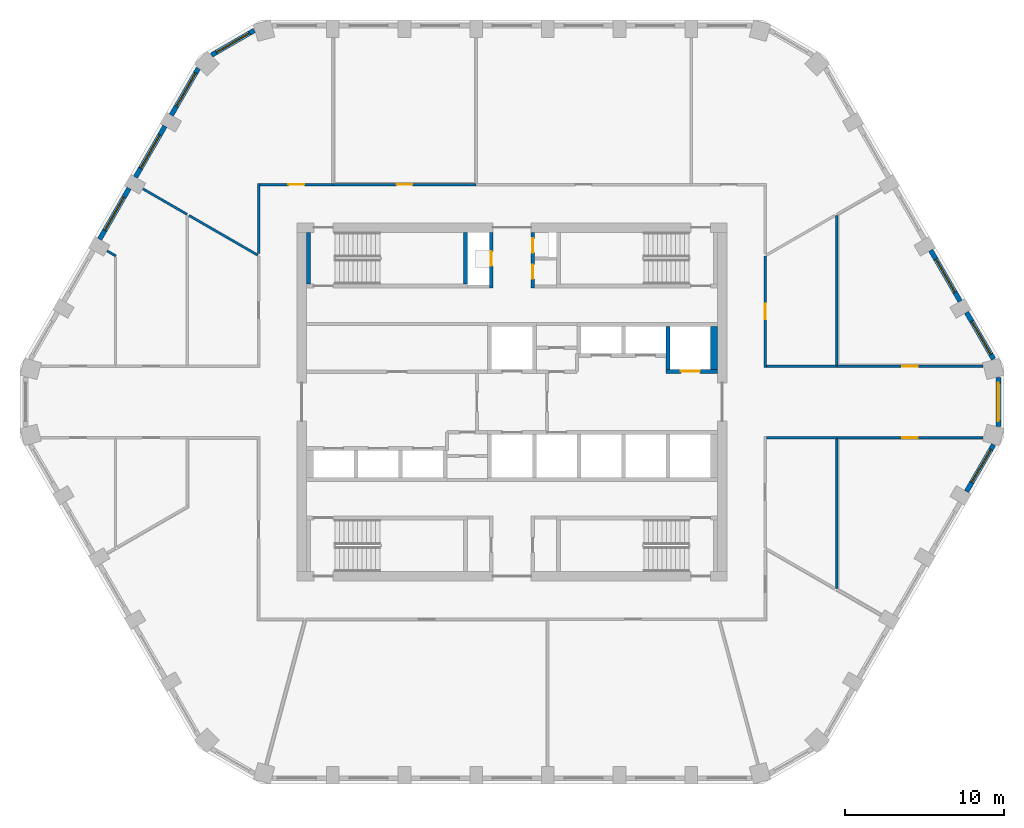
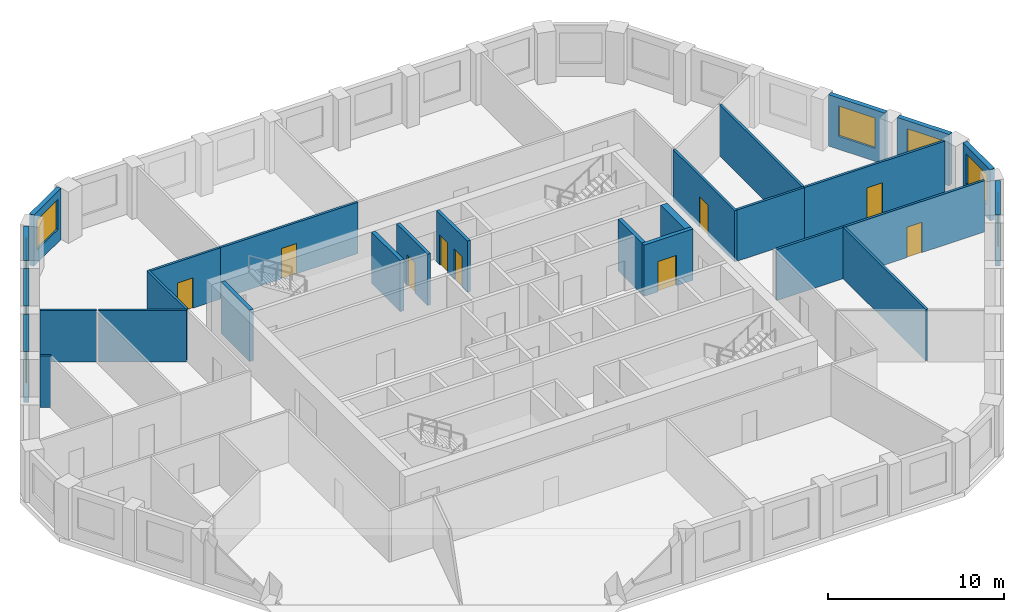
# One storey, part 5 of 11: 28 walls, 9 doors, 8 windows, 17 openings.
"""IFC4 building model written with IfcOpenShell, lengths in metres."""

import ifcopenshell
import ifcopenshell.guid

model = None  # the IFC model being written
_history = None  # IfcOwnerHistory: only IFC2X3 demands one
_inside = {}  # id of a spatial element -> (the spatial element, [elements in it])
_under = {}  # id of a project, library or spatial element -> (it, [spatial elements below it])
_declared = {}  # id of a project -> (the project, [libraries it declares])
_typed = {}  # id of a type object -> (the type object, [elements of that type])
_made_of = {}  # id of a material, layer set ... -> (it, [elements and type objects made of it])


def new_model(schema):
    """Start an empty IFC model of exactly this schema.

    Asked for "IFC4X3", IfcOpenShell would pick the latest addendum, in which some entities
    have other attributes; the version numbers below select the first issue.
    IFC2X3 requires an IfcOwnerHistory on every rooted entity: one is made here for all.
    """
    global model, _history
    if schema == "IFC4X3":
        model = ifcopenshell.file(schema_version=(4, 3, 0, 0))
    else:
        model = ifcopenshell.file(schema=schema)
    _inside.clear()
    _under.clear()
    _declared.clear()
    _typed.clear()
    _made_of.clear()
    _history = None
    if model.schema == "IFC2X3":
        org = make("IfcOrganization", Name="unknown")
        user = make(
            "IfcPersonAndOrganization",
            ThePerson=make("IfcPerson", FamilyName="unknown"),
            TheOrganization=org,
        )
        app = make(
            "IfcApplication",
            ApplicationDeveloper=org,
            Version="unknown",
            ApplicationFullName="unknown",
            ApplicationIdentifier="unknown",
        )
        _history = make(
            "IfcOwnerHistory",
            OwningUser=user,
            OwningApplication=app,
            ChangeAction="ADDED",
            CreationDate=0,
        )
    return model


def make(cls, **values):
    """One entity of the class cls with the attributes given. An attribute that is None is left unset."""
    return model.create_entity(
        cls, **{name: value for name, value in values.items() if value is not None}
    )


def rooted(cls, **values):
    """An entity with a GlobalId (a new one), such as an element, a storey or a relation."""
    return make(cls, GlobalId=ifcopenshell.guid.new(), OwnerHistory=_history, **values)


def si_unit(unit_type, name, prefix=None):
    """IfcSIUnit, for example si_unit("LENGTHUNIT", "METRE", prefix="MILLI")."""
    return make("IfcSIUnit", UnitType=unit_type, Prefix=prefix, Name=name)


def assignment(units):
    """IfcUnitAssignment: the units of a project."""
    return None if units is None else make("IfcUnitAssignment", Units=units)


def point(xyz):
    """IfcCartesianPoint."""
    return None if xyz is None else make("IfcCartesianPoint", Coordinates=xyz)


def direction(xyz):
    """IfcDirection."""
    return None if xyz is None else make("IfcDirection", DirectionRatios=xyz)


def frame(location, z_axis=None, x_axis=None):
    """IfcAxis2Placement3D, a coordinate frame: its origin and axes. An axis left out is left unset."""
    return make(
        "IfcAxis2Placement3D",
        Location=point(location),
        Axis=direction(z_axis),
        RefDirection=direction(x_axis),
    )


def frame_2d(location, x_axis=None):
    """IfcAxis2Placement2D, a coordinate frame in the plane: its origin and x axis."""
    return make(
        "IfcAxis2Placement2D", Location=point(location), RefDirection=direction(x_axis)
    )


def origin():
    """The frame at (0, 0, 0) with its axes left unset."""
    return frame((0.0, 0.0, 0.0))


def place(relative_to, where):
    """IfcLocalPlacement: puts the frame where relative to a parent placement (None: the world)."""
    return make(
        "IfcLocalPlacement", PlacementRelTo=relative_to, RelativePlacement=where
    )


def context(
    kind, dimensions, precision=None, world=None, true_north=None, identifier=None
):
    """IfcGeometricRepresentationContext, for example the 3D "Model" context."""
    return make(
        "IfcGeometricRepresentationContext",
        ContextIdentifier=identifier,
        ContextType=kind,
        CoordinateSpaceDimension=dimensions,
        Precision=precision,
        WorldCoordinateSystem=world,
        TrueNorth=true_north,
    )


def subcontext(parent, identifier, kind, view, scale=None):
    """IfcGeometricRepresentationSubContext, for example "Body" below "Model"."""
    return make(
        "IfcGeometricRepresentationSubContext",
        ContextIdentifier=identifier,
        ContextType=kind,
        ParentContext=parent,
        TargetScale=scale,
        TargetView=view,
    )


def project(units=None, contexts=None):
    """IfcProject with its units and contexts."""
    return rooted(
        "IfcProject",
        Name="project",
        RepresentationContexts=contexts,
        UnitsInContext=assignment(units),
    )


def spatial(cls, under=None, at=None, **own):
    """A site, building, storey or space (cls), placed at a placement, below another one or the project."""
    s = rooted(cls, ObjectPlacement=at, **own)
    if under is not None:
        _under.setdefault(under.id(), (under, []))[1].append(s)
    return s


def polyline(points):
    """IfcPolyline through the points."""
    return make("IfcPolyline", Points=[point(p) for p in points])


def profile(cls, at=None, kind="AREA", **sizes):
    """A parametric profile (cls). Its sizes go by their IFC names, for example OverallWidth=200.0."""
    return make(cls, ProfileType=kind, Position=at, **sizes)


def rectangle(**sizes):
    """IfcRectangleProfileDef."""
    return profile("IfcRectangleProfileDef", **sizes)


def outline(outer, holes=None, kind="AREA"):
    """IfcArbitraryClosedProfileDef: a profile drawn as a closed curve; with holes, ...WithVoids."""
    if holes is None:
        return make("IfcArbitraryClosedProfileDef", ProfileType=kind, OuterCurve=outer)
    return make(
        "IfcArbitraryProfileDefWithVoids",
        ProfileType=kind,
        OuterCurve=outer,
        InnerCurves=holes,
    )


def extrude(swept, where, along, depth):
    """IfcExtrudedAreaSolid: the profile swept, set in the frame where, extruded along a direction by depth."""
    return make(
        "IfcExtrudedAreaSolid",
        SweptArea=swept,
        Position=where,
        ExtrudedDirection=direction(along),
        Depth=depth,
    )


def shape(context_of_items, identifier, shape_type, items):
    """IfcShapeRepresentation: the items that make up one representation, for example the "Body"."""
    return make(
        "IfcShapeRepresentation",
        ContextOfItems=context_of_items,
        RepresentationIdentifier=identifier,
        RepresentationType=shape_type,
        Items=items,
    )


def material(Name=None, Category=None):
    """IfcMaterial."""
    return make("IfcMaterial", Name=Name, Category=Category)


def layer(
    of_material, thickness, ventilated=None, Name=None, Category=None, Priority=None
):
    """IfcMaterialLayer: one layer of a wall or slab, of a material (None: an air gap)."""
    return make(
        "IfcMaterialLayer",
        Material=of_material,
        LayerThickness=thickness,
        IsVentilated=ventilated,
        Name=Name,
        Category=Category,
        Priority=Priority,
    )


def layer_set(layers, Name=None):
    """IfcMaterialLayerSet."""
    return make("IfcMaterialLayerSet", MaterialLayers=layers, LayerSetName=Name)


def made_of(thing, what):
    """Note that an element or type object is made of a material, layer set ...; save() writes the relation."""
    if what is not None:
        _made_of.setdefault(what.id(), (what, []))[1].append(thing)
    return thing


def type_object(cls, material=None, **own):
    """A type object (cls), such as IfcWallType, which elements share."""
    return made_of(rooted(cls, **own), material)


def element(
    cls,
    number,
    at=None,
    inside=None,
    cuts=None,
    type_object=None,
    material=None,
    context=None,
    identifier="Body",
    shape_type=None,
    held_by="IfcProductDefinitionShape",
    body=None,
    shapes=None,
    **own,
):
    """One element of the class cls, such as IfcWall. Its Tag is "e" and its number.

    at: its placement. inside: the storey or other place that contains it. cuts: it is an
    opening in that element (IfcRelVoidsElement). A single representation is given by context,
    identifier, shape_type and body (its items); several are given by shapes. held_by: the class
    of the entity that holds the representations. save() writes the other relations.
    """
    e = rooted(cls, Tag="e%d" % number, ObjectPlacement=at, **own)
    if body is not None:
        shapes = [shape(context, identifier, shape_type, body)]
    if shapes is not None:
        e.Representation = make(held_by, Representations=shapes)
    if inside is not None:
        _inside.setdefault(inside.id(), (inside, []))[1].append(e)
    if cuts is not None:
        rooted(
            "IfcRelVoidsElement", RelatingBuildingElement=cuts, RelatedOpeningElement=e
        )
    if type_object is not None:
        _typed.setdefault(type_object.id(), (type_object, []))[1].append(e)
    return made_of(e, material)


def fill(opening, filler):
    """IfcRelFillsElement: the door or window that sits in an opening."""
    return rooted(
        "IfcRelFillsElement",
        RelatingOpeningElement=opening,
        RelatedBuildingElement=filler,
    )


def aggregate(whole, parts):
    """IfcRelAggregates: a whole, such as a stair, and the parts it consists of."""
    return rooted("IfcRelAggregates", RelatingObject=whole, RelatedObjects=parts)


def save(model, path):
    """Write the relations noted so far, then the file.

    IfcRelAggregates (storeys below a building ...), IfcRelContainedInSpatialStructure (elements
    in a storey), IfcRelDefinesByType, IfcRelAssociatesMaterial and IfcRelDeclares: one each for
    every whole, place, type object, material and project.
    """
    for whole, parts in _under.values():
        aggregate(whole, parts)
    for where, things in _inside.values():
        rooted(
            "IfcRelContainedInSpatialStructure",
            RelatedElements=things,
            RelatingStructure=where,
        )
    for kind, things in _typed.values():
        rooted("IfcRelDefinesByType", RelatedObjects=things, RelatingType=kind)
    for what, things in _made_of.values():
        rooted("IfcRelAssociatesMaterial", RelatedObjects=things, RelatingMaterial=what)
    for by, libraries in _declared.values():
        rooted("IfcRelDeclares", RelatingContext=by, RelatedDefinitions=libraries)
    model.write(path)


model = new_model("IFC4")

# Units and contexts
model_context = context("Model", 3, precision=1e-05, world=origin(), true_north=direction((0.0, 1.0)))
body_context = subcontext(model_context, "Body", "Model", "MODEL_VIEW")
ifc_project = project(units=[si_unit("LENGTHUNIT", "METRE"), si_unit("AREAUNIT", "SQUARE_METRE"), si_unit("VOLUMEUNIT", "CUBIC_METRE"), si_unit("PLANEANGLEUNIT", "RADIAN"), si_unit("MASSUNIT", "GRAM", prefix="KILO")], contexts=[model_context])

# Site, building, storey
site_placement = place(None, origin())
site = spatial("IfcSite", under=ifc_project, at=site_placement, CompositionType="ELEMENT")
building_placement = place(site_placement, origin())
building = spatial("IfcBuilding", under=site, at=building_placement, Name="Dhurran Vertical Campus", CompositionType="ELEMENT")
storey_placement = place(building_placement, frame((0.0, 0.0, 215.10009765625)))
storey = spatial("IfcBuildingStorey", under=building, at=storey_placement, Name="L53", CompositionType="ELEMENT", Elevation=215.10009765625)

# Wall, opening, window
ifc_material_1 = material(Name="Precast concrete C50/60", Category="concrete")
ifc_layer_1 = layer(ifc_material_1, 0.300048828125)
ifc_layer_set_1 = layer_set([ifc_layer_1], Name="Precast concrete C50/60")
wall_type_1 = type_object("IfcWallType", Name="Precast spandrel wall 300", PredefinedType="SOLIDWALL", material=ifc_layer_set_1)
wall_1_placement = place(storey_placement, frame((28.544189453125, -5.625244140625, 0.0), z_axis=(0.0, 0.0, 1.0), x_axis=(0.500012868213, 0.866017974191, 0.0)))
wall_1 = element("IfcWall", 1, at=wall_1_placement, inside=storey, type_object=wall_type_1, Name="EW1 L53.12", PredefinedType="SOLIDWALL", context=body_context, shape_type="SweptSolid", body=[
    extrude(rectangle(XDim=3.39599609375, YDim=0.300048828125, at=frame_2d((1.697998046875, 0.0))), origin(), (0.0, 0.0, 1.0), 3.5498046875),
])
opening_1_placement = place(wall_1_placement, frame((0.6494140625, 0.0, 0.89990234375)))
opening_1 = element("IfcOpeningElement", 2, at=opening_1_placement, cuts=wall_1, Name="Opening WT1", PredefinedType="OPENING", context=body_context, shape_type="SweptSolid", body=[
    extrude(rectangle(XDim=2.39990234375, YDim=2.10009765625, at=frame_2d((1.199951171875, 1.050048828125))), frame((0.0, 0.159912109375, 0.0), z_axis=(0.0, -1.0, 0.0), x_axis=(1.0, 0.0, 0.0)), (0.0, 0.0, 1.0), 0.320068359375),
])
ifc_material_2 = material(Name="Aluminium frame with solar-control glass", Category="aluminium")
window_type = type_object("IfcWindowType", Name="Punched window 2400 x 2100", PartitioningType="SINGLE_PANEL", PredefinedType="WINDOW", material=ifc_material_2)
window_1_placement = place(opening_1_placement, origin())
window_1 = element("IfcWindow", 3, at=window_1_placement, inside=storey, type_object=window_type, Name="WT1 L53.12", OverallHeight=2.10009765625, OverallWidth=2.39990234375, PartitioningType="SINGLE_PANEL", PredefinedType="WINDOW", context=body_context, shape_type="SweptSolid", body=[
    extrude(rectangle(XDim=2.39990234375, YDim=2.10009765625, at=frame_2d((1.199951171875, 1.050048828125))), frame((0.0, 0.030029296875, 0.0), z_axis=(0.0, -1.0, 0.0), x_axis=(1.0, 0.0, 0.0)), (0.0, 0.0, 1.0), 0.06005859375),
])
fill(opening_1, window_1)

wall_2_placement = place(storey_placement, frame((30.547119140625, -1.54638671875, 0.0), z_axis=(0.0, 0.0, 1.0), x_axis=(0.0, 1.0, 0.0)))
wall_2 = element("IfcWall", 4, at=wall_2_placement, inside=storey, type_object=wall_type_1, Name="EW1 L53.13", PredefinedType="SOLIDWALL", context=body_context, shape_type="SweptSolid", body=[
    extrude(rectangle(XDim=3.0927734375, YDim=0.300048828125, at=frame_2d((1.54638671875, 0.0))), origin(), (0.0, 0.0, 1.0), 3.5498046875),
])
opening_2_placement = place(wall_2_placement, frame((0.34619140625, 0.0, 0.89990234375)))
opening_2 = element("IfcOpeningElement", 5, at=opening_2_placement, cuts=wall_2, Name="Opening WT1", PredefinedType="OPENING", context=body_context, shape_type="SweptSolid", body=[
    extrude(rectangle(XDim=2.39990234375, YDim=2.10009765625, at=frame_2d((1.199951171875, 1.050048828125))), frame((0.0, 0.159912109375, 0.0), z_axis=(0.0, -1.0, 0.0), x_axis=(1.0, 0.0, 0.0)), (0.0, 0.0, 1.0), 0.320068359375),
])
window_2_placement = place(opening_2_placement, origin())
window_2 = element("IfcWindow", 6, at=window_2_placement, inside=storey, type_object=window_type, Name="WT1 L53.13", OverallHeight=2.10009765625, OverallWidth=2.39990234375, PartitioningType="SINGLE_PANEL", PredefinedType="WINDOW", context=body_context, shape_type="SweptSolid", body=[
    extrude(rectangle(XDim=2.39990234375, YDim=2.10009765625, at=frame_2d((1.199951171875, 1.050048828125))), frame((0.0, 0.030029296875, 0.0), z_axis=(0.0, -1.0, 0.0), x_axis=(1.0, 0.0, 0.0)), (0.0, 0.0, 1.0), 0.06005859375),
])
fill(opening_2, window_2)

wall_3_placement = place(storey_placement, frame((30.2421875, 2.684326171875, 0.0), z_axis=(0.0, 0.0, 1.0), x_axis=(-0.500012868213, 0.866017974191, 0.0)))
wall_3 = element("IfcWall", 7, at=wall_3_placement, inside=storey, type_object=wall_type_1, Name="EW1 L53.14", PredefinedType="SOLIDWALL", context=body_context, shape_type="SweptSolid", body=[
    extrude(rectangle(XDim=3.39599609375, YDim=0.300048828125, at=frame_2d((1.697998046875, 0.0))), origin(), (0.0, 0.0, 1.0), 3.5498046875),
])
opening_3_placement = place(wall_3_placement, frame((0.346435546875, 0.0, 0.89990234375)))
opening_3 = element("IfcOpeningElement", 8, at=opening_3_placement, cuts=wall_3, Name="Opening WT1", PredefinedType="OPENING", context=body_context, shape_type="SweptSolid", body=[
    extrude(rectangle(XDim=2.39990234375, YDim=2.10009765625, at=frame_2d((1.199951171875, 1.050048828125))), frame((0.0, 0.159912109375, 0.0), z_axis=(0.0, -1.0, 0.0), x_axis=(1.0, 0.0, 0.0)), (0.0, 0.0, 1.0), 0.320068359375),
])
window_3_placement = place(opening_3_placement, origin())
window_3 = element("IfcWindow", 9, at=window_3_placement, inside=storey, type_object=window_type, Name="WT1 L53.14", OverallHeight=2.10009765625, OverallWidth=2.39990234375, PartitioningType="SINGLE_PANEL", PredefinedType="WINDOW", context=body_context, shape_type="SweptSolid", body=[
    extrude(rectangle(XDim=2.39990234375, YDim=2.10009765625, at=frame_2d((1.199951171875, 1.050048828125))), frame((0.0, 0.030029296875, 0.0), z_axis=(0.0, -1.0, 0.0), x_axis=(1.0, 0.0, 0.0)), (0.0, 0.0, 1.0), 0.06005859375),
])
fill(opening_3, window_3)

wall_4_placement = place(storey_placement, frame((28.143798828125, 6.319091796875, 0.0), z_axis=(0.0, 0.0, 1.0), x_axis=(-0.500029062817, 0.866008623709, 0.0)))
wall_4 = element("IfcWall", 10, at=wall_4_placement, inside=storey, type_object=wall_type_1, Name="EW1 L53.15", PredefinedType="SOLIDWALL", context=body_context, shape_type="SweptSolid", body=[
    extrude(rectangle(XDim=3.698974609375, YDim=0.300048828125, at=frame_2d((1.849609375, 0.0))), origin(), (0.0, 0.0, 1.0), 3.5498046875),
])
opening_4_placement = place(wall_4_placement, frame((0.6494140625, 0.0, 0.89990234375)))
opening_4 = element("IfcOpeningElement", 11, at=opening_4_placement, cuts=wall_4, Name="Opening WT1", PredefinedType="OPENING", context=body_context, shape_type="SweptSolid", body=[
    extrude(rectangle(XDim=2.39990234375, YDim=2.10009765625, at=frame_2d((1.199951171875, 1.050048828125))), frame((0.0, 0.159912109375, 0.0), z_axis=(0.0, -1.0, 0.0), x_axis=(1.0, 0.0, 0.0)), (0.0, 0.0, 1.0), 0.320068359375),
])
window_4_placement = place(opening_4_placement, origin())
window_4 = element("IfcWindow", 12, at=window_4_placement, inside=storey, type_object=window_type, Name="WT1 L53.15", OverallHeight=2.10009765625, OverallWidth=2.39990234375, PartitioningType="SINGLE_PANEL", PredefinedType="WINDOW", context=body_context, shape_type="SweptSolid", body=[
    extrude(rectangle(XDim=2.39990234375, YDim=2.10009765625, at=frame_2d((1.199951171875, 1.050048828125))), frame((0.0, 0.030029296875, 0.0), z_axis=(0.0, -1.0, 0.0), x_axis=(1.0, 0.0, 0.0)), (0.0, 0.0, 1.0), 0.06005859375),
])
fill(opening_4, window_4)

wall_5_placement = place(storey_placement, frame((-16.184326171875, 23.330810546875, 0.0), z_axis=(0.0, 0.0, 1.0), x_axis=(-0.865994975416, -0.500052699777, 0.0)))
wall_5 = element("IfcWall", 13, at=wall_5_placement, inside=storey, type_object=wall_type_1, Name="EW1 L53.27", PredefinedType="SOLIDWALL", context=body_context, shape_type="SweptSolid", body=[
    extrude(rectangle(XDim=3.093017578125, YDim=0.300048828125, at=frame_2d((1.54638671875, 0.0))), origin(), (0.0, 0.0, 1.0), 3.5498046875),
])
opening_5_placement = place(wall_5_placement, frame((0.346435546875, 0.0, 0.89990234375)))
opening_5 = element("IfcOpeningElement", 14, at=opening_5_placement, cuts=wall_5, Name="Opening WT1", PredefinedType="OPENING", context=body_context, shape_type="SweptSolid", body=[
    extrude(rectangle(XDim=2.39990234375, YDim=2.10009765625, at=frame_2d((1.199951171875, 1.050048828125))), frame((0.0, 0.159912109375, 0.0), z_axis=(0.0, -1.0, 0.0), x_axis=(1.0, 0.0, 0.0)), (0.0, 0.0, 1.0), 0.320068359375),
])
window_5_placement = place(opening_5_placement, origin())
window_5 = element("IfcWindow", 15, at=window_5_placement, inside=storey, type_object=window_type, Name="WT1 L53.27", OverallHeight=2.10009765625, OverallWidth=2.39990234375, PartitioningType="SINGLE_PANEL", PredefinedType="WINDOW", context=body_context, shape_type="SweptSolid", body=[
    extrude(rectangle(XDim=2.39990234375, YDim=2.10009765625, at=frame_2d((1.199951171875, 1.050048828125))), frame((0.0, 0.030029296875, 0.0), z_axis=(0.0, -1.0, 0.0), x_axis=(1.0, 0.0, 0.0)), (0.0, 0.0, 1.0), 0.06005859375),
])
fill(opening_5, window_5)

wall_6_placement = place(storey_placement, frame((-19.69580078125, 20.951171875, 0.0), z_axis=(0.0, 0.0, 1.0), x_axis=(-0.500012868213, -0.866017974191, 0.0)))
wall_6 = element("IfcWall", 16, at=wall_6_placement, inside=storey, type_object=wall_type_1, Name="EW1 L53.28", PredefinedType="SOLIDWALL", context=body_context, shape_type="SweptSolid", body=[
    extrude(rectangle(XDim=3.39599609375, YDim=0.300048828125, at=frame_2d((1.697998046875, 0.0))), origin(), (0.0, 0.0, 1.0), 3.5498046875),
])
opening_6_placement = place(wall_6_placement, frame((0.346435546875, 0.0, 0.89990234375)))
opening_6 = element("IfcOpeningElement", 17, at=opening_6_placement, cuts=wall_6, Name="Opening WT1", PredefinedType="OPENING", context=body_context, shape_type="SweptSolid", body=[
    extrude(rectangle(XDim=2.39990234375, YDim=2.10009765625, at=frame_2d((1.199951171875, 1.050048828125))), frame((0.0, 0.159912109375, 0.0), z_axis=(0.0, -1.0, 0.0), x_axis=(1.0, 0.0, 0.0)), (0.0, 0.0, 1.0), 0.320068359375),
])
window_6_placement = place(opening_6_placement, origin())
window_6 = element("IfcWindow", 18, at=window_6_placement, inside=storey, type_object=window_type, Name="WT1 L53.28", OverallHeight=2.10009765625, OverallWidth=2.39990234375, PartitioningType="SINGLE_PANEL", PredefinedType="WINDOW", context=body_context, shape_type="SweptSolid", body=[
    extrude(rectangle(XDim=2.39990234375, YDim=2.10009765625, at=frame_2d((1.199951171875, 1.050048828125))), frame((0.0, 0.030029296875, 0.0), z_axis=(0.0, -1.0, 0.0), x_axis=(1.0, 0.0, 0.0)), (0.0, 0.0, 1.0), 0.06005859375),
])
fill(opening_6, window_6)

wall_7_placement = place(storey_placement, frame((-21.794189453125, 17.316650390625, 0.0), z_axis=(0.0, 0.0, 1.0), x_axis=(-0.500029062817, -0.866008623709, 0.0)))
wall_7 = element("IfcWall", 19, at=wall_7_placement, inside=storey, type_object=wall_type_1, Name="EW1 L53.29", PredefinedType="SOLIDWALL", context=body_context, shape_type="SweptSolid", body=[
    extrude(rectangle(XDim=3.698974609375, YDim=0.300048828125, at=frame_2d((1.849609375, 0.0))), origin(), (0.0, 0.0, 1.0), 3.5498046875),
])
opening_7_placement = place(wall_7_placement, frame((0.6494140625, 0.0, 0.89990234375)))
opening_7 = element("IfcOpeningElement", 20, at=opening_7_placement, cuts=wall_7, Name="Opening WT1", PredefinedType="OPENING", context=body_context, shape_type="SweptSolid", body=[
    extrude(rectangle(XDim=2.39990234375, YDim=2.10009765625, at=frame_2d((1.199951171875, 1.050048828125))), frame((0.0, 0.159912109375, 0.0), z_axis=(0.0, -1.0, 0.0), x_axis=(1.0, 0.0, 0.0)), (0.0, 0.0, 1.0), 0.320068359375),
])
window_7_placement = place(opening_7_placement, origin())
window_7 = element("IfcWindow", 21, at=window_7_placement, inside=storey, type_object=window_type, Name="WT1 L53.29", OverallHeight=2.10009765625, OverallWidth=2.39990234375, PartitioningType="SINGLE_PANEL", PredefinedType="WINDOW", context=body_context, shape_type="SweptSolid", body=[
    extrude(rectangle(XDim=2.39990234375, YDim=2.10009765625, at=frame_2d((1.199951171875, 1.050048828125))), frame((0.0, 0.030029296875, 0.0), z_axis=(0.0, -1.0, 0.0), x_axis=(1.0, 0.0, 0.0)), (0.0, 0.0, 1.0), 0.06005859375),
])
fill(opening_7, window_7)

wall_8_placement = place(storey_placement, frame((-24.044189453125, 13.41943359375, 0.0), z_axis=(0.0, 0.0, 1.0), x_axis=(-0.500029062817, -0.866008623709, 0.0)))
wall_8 = element("IfcWall", 22, at=wall_8_placement, inside=storey, type_object=wall_type_1, Name="EW1 L53.30", PredefinedType="SOLIDWALL", context=body_context, shape_type="SweptSolid", body=[
    extrude(rectangle(XDim=3.698974609375, YDim=0.300048828125, at=frame_2d((1.849609375, 0.0))), origin(), (0.0, 0.0, 1.0), 3.5498046875),
])
opening_8_placement = place(wall_8_placement, frame((0.6494140625, 0.0, 0.89990234375)))
opening_8 = element("IfcOpeningElement", 23, at=opening_8_placement, cuts=wall_8, Name="Opening WT1", PredefinedType="OPENING", context=body_context, shape_type="SweptSolid", body=[
    extrude(rectangle(XDim=2.39990234375, YDim=2.10009765625, at=frame_2d((1.199951171875, 1.050048828125))), frame((0.0, 0.159912109375, 0.0), z_axis=(0.0, -1.0, 0.0), x_axis=(1.0, 0.0, 0.0)), (0.0, 0.0, 1.0), 0.320068359375),
])
window_8_placement = place(opening_8_placement, origin())
window_8 = element("IfcWindow", 24, at=window_8_placement, inside=storey, type_object=window_type, Name="WT1 L53.30", OverallHeight=2.10009765625, OverallWidth=2.39990234375, PartitioningType="SINGLE_PANEL", PredefinedType="WINDOW", context=body_context, shape_type="SweptSolid", body=[
    extrude(rectangle(XDim=2.39990234375, YDim=2.10009765625, at=frame_2d((1.199951171875, 1.050048828125))), frame((0.0, 0.030029296875, 0.0), z_axis=(0.0, -1.0, 0.0), x_axis=(1.0, 0.0, 0.0)), (0.0, 0.0, 1.0), 0.06005859375),
])
fill(opening_8, window_8)

# Wall, opening, door
ifc_material_3 = material(Name="Fire-rated masonry blockwork", Category="masonry")
ifc_layer_2 = layer(ifc_material_3, 0.199951171875)
ifc_layer_set_2 = layer_set([ifc_layer_2], Name="Fire-rated masonry blockwork")
wall_type_2 = type_object("IfcWallType", Name="co-FIRE-PARTITION-200", PredefinedType="PARTITIONING", material=ifc_layer_set_2)
wall_9_placement = place(storey_placement, frame((-1.300048828125, 7.14990234375, 0.0), z_axis=(0.0, 0.0, 1.0), x_axis=(0.0, 1.0, 0.0)))
wall_9 = element("IfcWall", 25, at=wall_9_placement, inside=storey, type_object=wall_type_2, Name="Core partition vest-NW L53", PredefinedType="PARTITIONING", context=body_context, shape_type="SweptSolid", body=[
    extrude(rectangle(XDim=3.5, YDim=0.199951171875, at=frame_2d((1.75, 0.0))), origin(), (0.0, 0.0, 1.0), 3.5498046875),
])
opening_9_placement = place(wall_9_placement, frame((1.39990234375, 0.0, 0.0)))
opening_9 = element("IfcOpeningElement", 26, at=opening_9_placement, cuts=wall_9, Name="Opening T15-C3", PredefinedType="OPENING", context=body_context, shape_type="SweptSolid", body=[
    extrude(rectangle(XDim=0.89990234375, YDim=2.10009765625, at=frame_2d((0.449951171875, 1.050048828125))), frame((0.0, 0.10986328125, 0.0), z_axis=(0.0, -1.0, 0.0), x_axis=(1.0, 0.0, 0.0)), (0.0, 0.0, 1.0), 0.219970703125),
])
ifc_material_4 = material(Name="Fire-rated timber door set", Category="wood")
door_type_1 = type_object("IfcDoorType", Name="co-D-ROOM 900x2100", OperationType="SINGLE_SWING_LEFT", PredefinedType="DOOR", material=ifc_material_4)
door_1_placement = place(opening_9_placement, origin())
door_1 = element("IfcDoor", 27, at=door_1_placement, inside=storey, type_object=door_type_1, Name="Electrical riser door L53", OperationType="SINGLE_SWING_LEFT", OverallHeight=2.10009765625, OverallWidth=0.89990234375, PredefinedType="DOOR", context=body_context, shape_type="SweptSolid", body=[
    extrude(rectangle(XDim=0.89990234375, YDim=2.10009765625, at=frame_2d((0.449951171875, 1.050048828125))), frame((0.0, 0.02490234375, 0.0), z_axis=(0.0, -1.0, 0.0), x_axis=(1.0, 0.0, 0.0)), (0.0, 0.0, 1.0), 0.050048828125),
])
fill(opening_9, door_1)

# Wall, openings, doors
wall_10_placement = place(storey_placement, frame((1.300048828125, 7.14990234375, 0.0), z_axis=(0.0, 0.0, 1.0), x_axis=(0.0, 1.0, 0.0)))
wall_10 = element("IfcWall", 28, at=wall_10_placement, inside=storey, type_object=wall_type_2, Name="Core partition vest-NE L53", PredefinedType="PARTITIONING", context=body_context, shape_type="SweptSolid", body=[
    extrude(rectangle(XDim=3.5, YDim=0.199951171875, at=frame_2d((1.75, 0.0))), origin(), (0.0, 0.0, 1.0), 3.5498046875),
])
opening_10_placement = place(wall_10_placement, frame((0.574951171875, 0.0, 0.0)))
opening_10 = element("IfcOpeningElement", 29, at=opening_10_placement, cuts=wall_10, Name="Opening T15-C4", PredefinedType="OPENING", context=body_context, shape_type="SweptSolid", body=[
    extrude(rectangle(XDim=0.89990234375, YDim=2.10009765625, at=frame_2d((0.449951171875, 1.050048828125))), frame((0.0, 0.10986328125, 0.0), z_axis=(0.0, -1.0, 0.0), x_axis=(1.0, 0.0, 0.0)), (0.0, 0.0, 1.0), 0.219970703125),
])
opening_11_placement = place(wall_10_placement, frame((2.22509765625, 0.0, 0.0)))
opening_11 = element("IfcOpeningElement", 30, at=opening_11_placement, cuts=wall_10, Name="Opening T15-C5", PredefinedType="OPENING", context=body_context, shape_type="SweptSolid", body=[
    extrude(rectangle(XDim=0.89990234375, YDim=2.10009765625, at=frame_2d((0.449951171875, 1.050048828125))), frame((0.0, 0.10986328125, 0.0), z_axis=(0.0, -1.0, 0.0), x_axis=(1.0, 0.0, 0.0)), (0.0, 0.0, 1.0), 0.219970703125),
])
door_2_placement = place(opening_10_placement, origin())
door_2 = element("IfcDoor", 31, at=door_2_placement, inside=storey, type_object=door_type_1, Name="Pantry door L53", OperationType="SINGLE_SWING_LEFT", OverallHeight=2.10009765625, OverallWidth=0.89990234375, PredefinedType="DOOR", context=body_context, shape_type="SweptSolid", body=[
    extrude(rectangle(XDim=0.89990234375, YDim=2.10009765625, at=frame_2d((0.449951171875, 1.050048828125))), frame((0.0, 0.02490234375, 0.0), z_axis=(0.0, -1.0, 0.0), x_axis=(1.0, 0.0, 0.0)), (0.0, 0.0, 1.0), 0.050048828125),
])
fill(opening_10, door_2)
door_3_placement = place(opening_11_placement, origin())
door_3 = element("IfcDoor", 32, at=door_3_placement, inside=storey, type_object=door_type_1, Name="Water riser door L53", OperationType="SINGLE_SWING_LEFT", OverallHeight=2.10009765625, OverallWidth=0.89990234375, PredefinedType="DOOR", context=body_context, shape_type="SweptSolid", body=[
    extrude(rectangle(XDim=0.89990234375, YDim=2.10009765625, at=frame_2d((0.449951171875, 1.050048828125))), frame((0.0, 0.02490234375, 0.0), z_axis=(0.0, -1.0, 0.0), x_axis=(1.0, 0.0, 0.0)), (0.0, 0.0, 1.0), 0.050048828125),
])
fill(opening_11, door_3)

# Wall, opening, door
ifc_material_5 = material(Name="Concrete C50/60", Category="concrete")
ifc_layer_3 = layer(ifc_material_5, 0.25)
ifc_layer_set_3 = layer_set([ifc_layer_3], Name="Concrete C50/60")
wall_type_3 = type_object("IfcWallType", Name="co-SHAFT-FRONT-250", PredefinedType="SHEAR", material=ifc_layer_set_3)
wall_11_placement = place(storey_placement, frame((9.675048828125, 1.925048828125, 0.0), z_axis=(0.0, 0.0, 1.0), x_axis=(1.0, 0.0, 0.0)))
wall_11 = element("IfcWall", 33, at=wall_11_placement, inside=storey, type_object=wall_type_3, Name="Lift landing wall N L53", PredefinedType="SHEAR", context=body_context, shape_type="SweptSolid", body=[
    extrude(rectangle(XDim=3.224853515625, YDim=0.25, at=frame_2d((1.6123046875, 0.0))), origin(), (0.0, 0.0, 1.0), 3.5498046875),
])
opening_12_placement = place(wall_11_placement, frame((0.925048828125, 0.0, 0.0)))
opening_12 = element("IfcOpeningElement", 34, at=opening_12_placement, cuts=wall_11, Name="Opening LD", PredefinedType="OPENING", context=body_context, shape_type="SweptSolid", body=[
    extrude(rectangle(XDim=1.199951171875, YDim=2.10009765625, at=frame_2d((0.60009765625, 1.050048828125))), frame((0.0, 0.135009765625, 0.0), z_axis=(0.0, -1.0, 0.0), x_axis=(1.0, 0.0, 0.0)), (0.0, 0.0, 1.0), 0.27001953125),
])
ifc_material_6 = material(Name="Stainless steel landing door", Category="steel")
door_type_2 = type_object("IfcDoorType", Name="co-D-LANDING 1200x2100", OperationType="DOUBLE_DOOR_SLIDING", PredefinedType="DOOR", material=ifc_material_6)
door_4_placement = place(opening_12_placement, origin())
door_4 = element("IfcDoor", 35, at=door_4_placement, inside=storey, type_object=door_type_2, Name="Landing door SV2 L53", OperationType="DOUBLE_DOOR_SLIDING", OverallHeight=2.10009765625, OverallWidth=1.199951171875, PredefinedType="DOOR", context=body_context, shape_type="SweptSolid", body=[
    extrude(rectangle(XDim=1.199951171875, YDim=2.10009765625, at=frame_2d((0.60009765625, 1.050048828125))), frame((0.0, 0.02490234375, 0.0), z_axis=(0.0, -1.0, 0.0), x_axis=(1.0, 0.0, 0.0)), (0.0, 0.0, 1.0), 0.050048828125),
])
fill(opening_12, door_4)

# Walls
ifc_material_7 = material(Name="Concrete C50/60", Category="concrete")
ifc_layer_4 = layer(ifc_material_7, 0.25)
ifc_layer_set_4 = layer_set([ifc_layer_4], Name="Concrete C50/60")
wall_type_4 = type_object("IfcWallType", Name="co-SHAFT-MASS-250", PredefinedType="SHEAR", material=ifc_layer_set_4)
wall_12_placement = place(storey_placement, origin())
element("IfcWall", 36, at=wall_12_placement, inside=storey, type_object=wall_type_4, Name="Lift shaft wall N L53 5", PredefinedType="SHEAR", context=body_context, shape_type="SweptSolid", body=[
    extrude(outline(polyline([(9.675048828125, 2.050048828125), (9.925048828125, 2.050048828125), (9.925048828125, 4.75), (9.675048828125, 4.75), (9.675048828125, 2.050048828125)])), origin(), (0.0, 0.0, 1.0), 3.5498046875),
])
wall_13_placement = place(storey_placement, origin())
element("IfcWall", 37, at=wall_13_placement, inside=storey, type_object=wall_type_4, Name="Lift shaft wall N L53 6", PredefinedType="SHEAR", context=body_context, shape_type="SweptSolid", body=[
    extrude(outline(polyline([(12.47509765625, 2.050048828125), (12.89990234375, 2.050048828125), (12.89990234375, 4.75), (12.47509765625, 4.75), (12.47509765625, 2.050048828125)])), origin(), (0.0, 0.0, 1.0), 3.5498046875),
])
ifc_material_8 = material(Name="Concrete C40/50", Category="concrete")
ifc_layer_5 = layer(ifc_material_8, 0.25)
ifc_layer_set_5 = layer_set([ifc_layer_5], Name="Concrete C40/50")
wall_type_5 = type_object("IfcWallType", Name="co-STAIR-WALL-250", PredefinedType="SHEAR", material=ifc_layer_set_5)
for number, where, z_axis, x_axis, name in (
    (38, (-12.77490234375, 7.39990234375, 0.0), (0.0, 0.0, 1.0), (0.0, 1.0, 0.0), "Stair ST1 enclosure wall L53"),
    (39, (-2.925048828125, 7.39990234375, 0.0), (0.0, 0.0, 1.0), (0.0, 1.0, 0.0), "Stair ST1 enclosure wall L53"),
):
    element("IfcWall", number, at=place(storey_placement, frame(where, z_axis=z_axis, x_axis=x_axis)), inside=storey, type_object=wall_type_5, Name=name, PredefinedType="SHEAR", context=body_context, shape_type="SweptSolid", body=[
        extrude(rectangle(XDim=3.25, YDim=0.25, at=frame_2d((1.625, 0.0))), origin(), (0.0, 0.0, 1.0), 3.5498046875),
    ])
ifc_material_9 = material(Name="Gypsum board corridor wall on steel studs", Category="steel")
ifc_layer_6 = layer(ifc_material_9, 0.14990234375)
ifc_layer_set_6 = layer_set([ifc_layer_6], Name="Gypsum board corridor wall on steel studs")
wall_type_6 = type_object("IfcWallType", Name="fl-CW-150 corridor wall", PredefinedType="PARTITIONING", material=ifc_layer_set_6)
wall_14_placement = place(storey_placement, frame((-15.89990234375, 13.72509765625, 0.0), z_axis=(0.0, 0.0, 1.0), x_axis=(0.0, -1.0, 0.0)))
element("IfcWall", 40, at=wall_14_placement, inside=storey, type_object=wall_type_6, Name="Partition 53-19", PredefinedType="PARTITIONING", context=body_context, shape_type="SweptSolid", body=[
    extrude(rectangle(XDim=4.4150390625, YDim=0.14990234375, at=frame_2d((2.20751953125, 0.0))), origin(), (0.0, 0.0, 1.0), 3.5498046875),
])

# Wall, opening, door
wall_15_placement = place(storey_placement, frame((-11.25, 13.64990234375, 0.0), z_axis=(0.0, 0.0, 1.0), x_axis=(-1.0, 0.0, 0.0)))
wall_15 = element("IfcWall", 41, at=wall_15_placement, inside=storey, type_object=wall_type_6, Name="Partition 53-20", PredefinedType="PARTITIONING", context=body_context, shape_type="SweptSolid", body=[
    extrude(rectangle(XDim=4.574951171875, YDim=0.14990234375, at=frame_2d((2.28759765625, 0.0))), origin(), (0.0, 0.0, 1.0), 3.5498046875),
])
opening_13_placement = place(wall_15_placement, frame((1.78759765625, 0.0, 0.0)))
opening_13 = element("IfcOpeningElement", 42, at=opening_13_placement, cuts=wall_15, Name="Opening T15.07", PredefinedType="OPENING", context=body_context, shape_type="SweptSolid", body=[
    extrude(rectangle(XDim=1.0, YDim=2.10009765625, at=frame_2d((0.5, 1.050048828125))), frame((0.0, 0.0849609375, 0.0), z_axis=(0.0, -1.0, 0.0), x_axis=(1.0, 0.0, 0.0)), (0.0, 0.0, 1.0), 0.169921875),
])
ifc_material_10 = material(Name="Solid-core timber door set, fire-rated", Category="wood")
door_type_3 = type_object("IfcDoorType", Name="fl-D-1000x2100", OperationType="SINGLE_SWING_LEFT", PredefinedType="DOOR", material=ifc_material_10)
door_5_placement = place(opening_13_placement, origin())
door_5 = element("IfcDoor", 43, at=door_5_placement, inside=storey, type_object=door_type_3, Name="Door 53.07", OperationType="SINGLE_SWING_LEFT", OverallHeight=2.10009765625, OverallWidth=1.0, PredefinedType="DOOR", context=body_context, shape_type="SweptSolid", body=[
    extrude(rectangle(XDim=1.0, YDim=2.10009765625, at=frame_2d((0.5, 1.050048828125))), frame((0.0, 0.02490234375, 0.0), z_axis=(0.0, -1.0, 0.0), x_axis=(1.0, 0.0, 0.0)), (0.0, 0.0, 1.0), 0.050048828125),
])
fill(opening_13, door_5)

wall_16_placement = place(storey_placement, frame((-2.25, 13.64990234375, 0.0), z_axis=(0.0, 0.0, 1.0), x_axis=(-1.0, 0.0, 0.0)))
wall_16 = element("IfcWall", 44, at=wall_16_placement, inside=storey, type_object=wall_type_6, Name="Partition 53-24", PredefinedType="PARTITIONING", context=body_context, shape_type="SweptSolid", body=[
    extrude(rectangle(XDim=9.0, YDim=0.14990234375, at=frame_2d((4.5, 0.0))), origin(), (0.0, 0.0, 1.0), 3.5498046875),
])
opening_14_placement = place(wall_16_placement, frame((4.0, 0.0, 0.0)))
opening_14 = element("IfcOpeningElement", 45, at=opening_14_placement, cuts=wall_16, Name="Opening T15.08", PredefinedType="OPENING", context=body_context, shape_type="SweptSolid", body=[
    extrude(rectangle(XDim=1.0, YDim=2.10009765625, at=frame_2d((0.5, 1.050048828125))), frame((0.0, 0.0849609375, 0.0), z_axis=(0.0, -1.0, 0.0), x_axis=(1.0, 0.0, 0.0)), (0.0, 0.0, 1.0), 0.169921875),
])
door_6_placement = place(opening_14_placement, origin())
door_6 = element("IfcDoor", 46, at=door_6_placement, inside=storey, type_object=door_type_3, Name="Door 53.08", OperationType="SINGLE_SWING_RIGHT", OverallHeight=2.10009765625, OverallWidth=1.0, PredefinedType="DOOR", context=body_context, shape_type="SweptSolid", body=[
    extrude(rectangle(XDim=1.0, YDim=2.10009765625, at=frame_2d((0.5, 1.050048828125))), frame((0.0, 0.02490234375, 0.0), z_axis=(0.0, -1.0, 0.0), x_axis=(1.0, 0.0, 0.0)), (0.0, 0.0, 1.0), 0.050048828125),
])
fill(opening_14, door_6)

# Wall
wall_17_placement = place(storey_placement, frame((20.39990234375, -2.25, 0.0), z_axis=(0.0, 0.0, 1.0), x_axis=(-1.0, 0.0, 0.0)))
element("IfcWall", 47, at=wall_17_placement, inside=storey, type_object=wall_type_6, Name="Partition 53-36", PredefinedType="PARTITIONING", context=body_context, shape_type="SweptSolid", body=[
    extrude(rectangle(XDim=4.4248046875, YDim=0.14990234375, at=frame_2d((2.21240234375, 0.0))), origin(), (0.0, 0.0, 1.0), 3.5498046875),
])

# Wall, opening, door
wall_18_placement = place(storey_placement, frame((15.89990234375, 2.175048828125, 0.0), z_axis=(0.0, 0.0, 1.0), x_axis=(0.0, 1.0, 0.0)))
wall_18 = element("IfcWall", 48, at=wall_18_placement, inside=storey, type_object=wall_type_6, Name="Partition 53-37", PredefinedType="PARTITIONING", context=body_context, shape_type="SweptSolid", body=[
    extrude(rectangle(XDim=7.0048828125, YDim=0.14990234375, at=frame_2d((3.50244140625, 0.0))), origin(), (0.0, 0.0, 1.0), 3.5498046875),
])
opening_15_placement = place(wall_18_placement, frame((3.00244140625, 0.0, 0.0)))
opening_15 = element("IfcOpeningElement", 49, at=opening_15_placement, cuts=wall_18, Name="Opening T15.15", PredefinedType="OPENING", context=body_context, shape_type="SweptSolid", body=[
    extrude(rectangle(XDim=1.0, YDim=2.10009765625, at=frame_2d((0.5, 1.050048828125))), frame((0.0, 0.0849609375, 0.0), z_axis=(0.0, -1.0, 0.0), x_axis=(1.0, 0.0, 0.0)), (0.0, 0.0, 1.0), 0.169921875),
])
door_7_placement = place(opening_15_placement, origin())
door_7 = element("IfcDoor", 50, at=door_7_placement, inside=storey, type_object=door_type_3, Name="Door 53.15", OperationType="SINGLE_SWING_LEFT", OverallHeight=2.10009765625, OverallWidth=1.0, PredefinedType="DOOR", context=body_context, shape_type="SweptSolid", body=[
    extrude(rectangle(XDim=1.0, YDim=2.10009765625, at=frame_2d((0.5, 1.050048828125))), frame((0.0, 0.02490234375, 0.0), z_axis=(0.0, -1.0, 0.0), x_axis=(1.0, 0.0, 0.0)), (0.0, 0.0, 1.0), 0.050048828125),
])
fill(opening_15, door_7)

# Wall
wall_19_placement = place(storey_placement, frame((15.97509765625, 2.25, 0.0), z_axis=(0.0, 0.0, 1.0), x_axis=(1.0, 0.0, 0.0)))
element("IfcWall", 51, at=wall_19_placement, inside=storey, type_object=wall_type_6, Name="Partition 53-38", PredefinedType="PARTITIONING", context=body_context, shape_type="SweptSolid", body=[
    extrude(rectangle(XDim=4.4248046875, YDim=0.14990234375, at=frame_2d((2.21240234375, 0.0))), origin(), (0.0, 0.0, 1.0), 3.5498046875),
])

# Wall, opening, door
wall_20_placement = place(storey_placement, frame((29.5849609375, -2.25, 0.0), z_axis=(0.0, 0.0, 1.0), x_axis=(-1.0, 0.0, 0.0)))
wall_20 = element("IfcWall", 52, at=wall_20_placement, inside=storey, type_object=wall_type_6, Name="Partition 53-43", PredefinedType="PARTITIONING", context=body_context, shape_type="SweptSolid", body=[
    extrude(rectangle(XDim=9.18505859375, YDim=0.14990234375, at=frame_2d((4.592529296875, 0.0))), origin(), (0.0, 0.0, 1.0), 3.5498046875),
])
opening_16_placement = place(wall_20_placement, frame((4.092529296875, 0.0, 0.0)))
opening_16 = element("IfcOpeningElement", 53, at=opening_16_placement, cuts=wall_20, Name="Opening T15.16", PredefinedType="OPENING", context=body_context, shape_type="SweptSolid", body=[
    extrude(rectangle(XDim=1.0, YDim=2.10009765625, at=frame_2d((0.5, 1.050048828125))), frame((0.0, 0.0849609375, 0.0), z_axis=(0.0, -1.0, 0.0), x_axis=(1.0, 0.0, 0.0)), (0.0, 0.0, 1.0), 0.169921875),
])
door_8_placement = place(opening_16_placement, origin())
door_8 = element("IfcDoor", 54, at=door_8_placement, inside=storey, type_object=door_type_3, Name="Door 53.16", OperationType="SINGLE_SWING_RIGHT", OverallHeight=2.10009765625, OverallWidth=1.0, PredefinedType="DOOR", context=body_context, shape_type="SweptSolid", body=[
    extrude(rectangle(XDim=1.0, YDim=2.10009765625, at=frame_2d((0.5, 1.050048828125))), frame((0.0, 0.02490234375, 0.0), z_axis=(0.0, -1.0, 0.0), x_axis=(1.0, 0.0, 0.0)), (0.0, 0.0, 1.0), 0.050048828125),
])
fill(opening_16, door_8)

wall_21_placement = place(storey_placement, frame((20.39990234375, 2.25, 0.0), z_axis=(0.0, 0.0, 1.0), x_axis=(1.0, 0.0, 0.0)))
wall_21 = element("IfcWall", 55, at=wall_21_placement, inside=storey, type_object=wall_type_6, Name="Partition 53-45", PredefinedType="PARTITIONING", context=body_context, shape_type="SweptSolid", body=[
    extrude(rectangle(XDim=9.18505859375, YDim=0.14990234375, at=frame_2d((4.592529296875, 0.0))), origin(), (0.0, 0.0, 1.0), 3.5498046875),
])
opening_17_placement = place(wall_21_placement, frame((4.092529296875, 0.0, 0.0)))
opening_17 = element("IfcOpeningElement", 56, at=opening_17_placement, cuts=wall_21, Name="Opening T15.17", PredefinedType="OPENING", context=body_context, shape_type="SweptSolid", body=[
    extrude(rectangle(XDim=1.0, YDim=2.10009765625, at=frame_2d((0.5, 1.050048828125))), frame((0.0, 0.0849609375, 0.0), z_axis=(0.0, -1.0, 0.0), x_axis=(1.0, 0.0, 0.0)), (0.0, 0.0, 1.0), 0.169921875),
])
door_9_placement = place(opening_17_placement, origin())
door_9 = element("IfcDoor", 57, at=door_9_placement, inside=storey, type_object=door_type_3, Name="Door 53.17", OperationType="SINGLE_SWING_LEFT", OverallHeight=2.10009765625, OverallWidth=1.0, PredefinedType="DOOR", context=body_context, shape_type="SweptSolid", body=[
    extrude(rectangle(XDim=1.0, YDim=2.10009765625, at=frame_2d((0.5, 1.050048828125))), frame((0.0, 0.02490234375, 0.0), z_axis=(0.0, -1.0, 0.0), x_axis=(1.0, 0.0, 0.0)), (0.0, 0.0, 1.0), 0.050048828125),
])
fill(opening_17, door_9)

# Walls
ifc_material_11 = material(Name="Gypsum board partition on steel studs", Category="steel")
ifc_layer_7 = layer(ifc_material_11, 0.14990234375)
ifc_layer_set_7 = layer_set([ifc_layer_7], Name="Gypsum board partition on steel studs")
wall_type_7 = type_object("IfcWallType", Name="fl-PW-150 fixed partition", PredefinedType="PARTITIONING", material=ifc_layer_set_7)
wall_22_placement = place(storey_placement, frame((-25.427001953125, 9.484375, 0.0), z_axis=(0.0, 0.0, 1.0), x_axis=(0.86590958411, -0.500200551925, 0.0)))
element("IfcWall", 58, at=wall_22_placement, inside=storey, type_object=wall_type_7, Name="Partition 53-04", PredefinedType="PARTITIONING", context=body_context, shape_type="SweptSolid", body=[
    extrude(rectangle(XDim=0.633544921875, YDim=0.14990234375, at=frame_2d((0.31689453125, 0.0))), origin(), (0.0, 0.0, 1.0), 3.5498046875),
])
wall_23_placement = place(storey_placement, frame((-23.17724609375, 13.381103515625, 0.0), z_axis=(0.0, 0.0, 1.0), x_axis=(0.866089241828, -0.499889412961, 0.0)))
element("IfcWall", 59, at=wall_23_placement, inside=storey, type_object=wall_type_7, Name="Partition 53-10", PredefinedType="PARTITIONING", context=body_context, shape_type="SweptSolid", body=[
    extrude(rectangle(XDim=3.206787109375, YDim=0.14990234375, at=frame_2d((1.603515625, 0.0))), origin(), (0.0, 0.0, 1.0), 3.5498046875),
])
wall_24_placement = place(storey_placement, frame((-20.287353515625, 11.712890625, 0.0), z_axis=(0.0, 0.0, 1.0), x_axis=(0.866034070548, -0.499984988425, 0.0)))
element("IfcWall", 60, at=wall_24_placement, inside=storey, type_object=wall_type_7, Name="Partition 53-15", PredefinedType="PARTITIONING", context=body_context, shape_type="SweptSolid", body=[
    extrude(rectangle(XDim=4.990966796875, YDim=0.14990234375, at=frame_2d((2.49560546875, 0.0))), origin(), (0.0, 0.0, 1.0), 3.5498046875),
])
for number, where, z_axis, x_axis, name in (
    (61, (20.39990234375, -2.324951171875, 0.0), (0.0, 0.0, 1.0), (0.0, -1.0, 0.0), "Partition 53-41"),
    (62, (20.39990234375, 11.702880859375, 0.0), (0.0, 0.0, 1.0), (0.0, -1.0, 0.0), "Partition 53-44"),
):
    element("IfcWall", number, at=place(storey_placement, frame(where, z_axis=z_axis, x_axis=x_axis)), inside=storey, type_object=wall_type_7, Name=name, PredefinedType="PARTITIONING", context=body_context, shape_type="SweptSolid", body=[
        extrude(rectangle(XDim=9.3779296875, YDim=0.14990234375, at=frame_2d((4.68896484375, 0.0))), origin(), (0.0, 0.0, 1.0), 3.5498046875),
    ])

save(model, "model.ifc")
